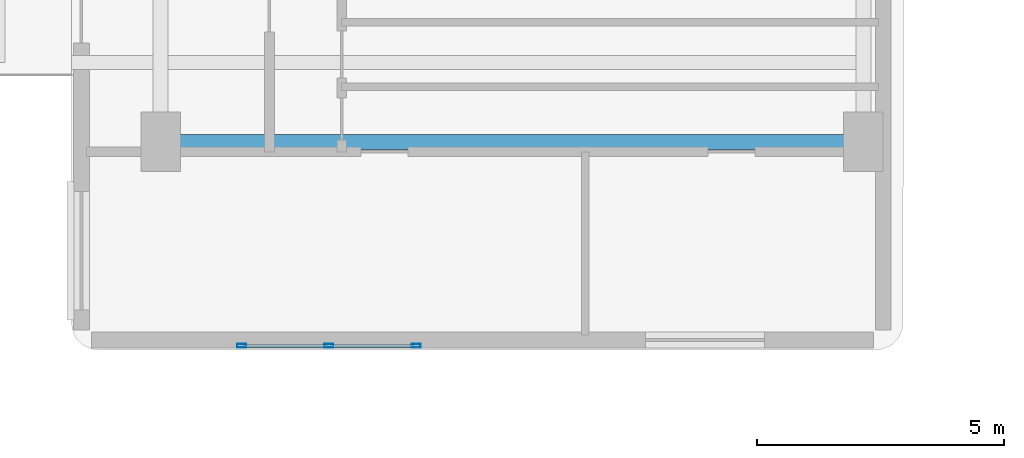
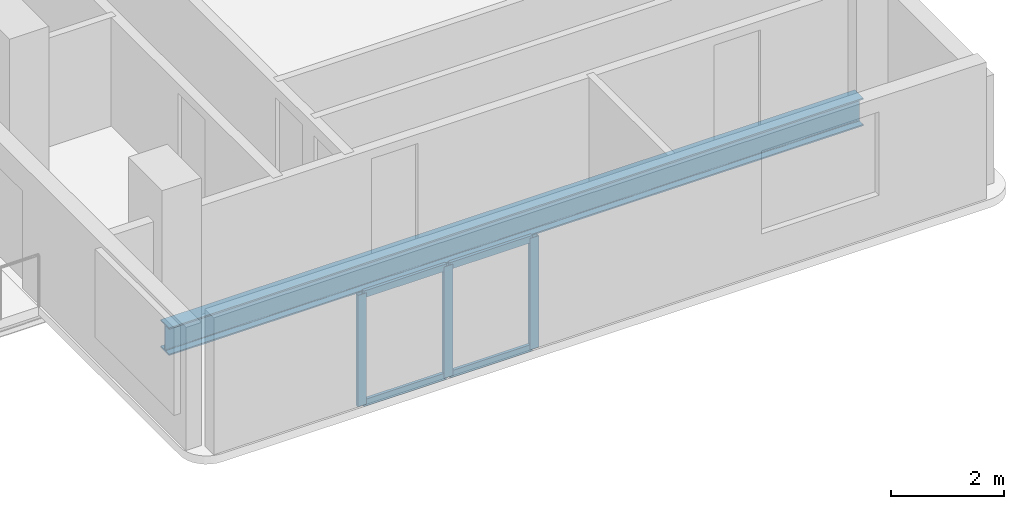
# One storey, part 2 of 15: 7 members, 1 beam, 1 element without a shape of its own.
"""IFC4 building model written with IfcOpenShell, lengths in metres."""

from ifc_helpers import new_model, si_unit, direction, frame, origin, origin_2d, place, context, subcontext, project, spatial, hollow_rectangle, i_section, extrude, material, material_profile, profile_set, type_object, element, aggregate, save


model = new_model("IFC4")

# Units and contexts
model_context = context("Model", 3, precision=1e-05, world=origin(), true_north=direction((0.0, 1.0)))
body_context = subcontext(model_context, "Body", "Model", "MODEL_VIEW")
ifc_project = project(units=[si_unit("LENGTHUNIT", "METRE"), si_unit("AREAUNIT", "SQUARE_METRE"), si_unit("VOLUMEUNIT", "CUBIC_METRE"), si_unit("PLANEANGLEUNIT", "RADIAN"), si_unit("MASSUNIT", "GRAM", prefix="KILO")], contexts=[model_context])

# Site, building, storey
site_placement = place(None, origin())
site = spatial("IfcSite", under=ifc_project, at=site_placement, CompositionType="ELEMENT")
building_placement = place(site_placement, origin())
building = spatial("IfcBuilding", under=site, at=building_placement, Name="Kuzgunbayir Cultural Tower", CompositionType="ELEMENT")
storey_placement = place(building_placement, frame((0.0, 0.0, 72.39990234375)))
storey = spatial("IfcBuildingStorey", under=building, at=storey_placement, Name="L20", CompositionType="ELEMENT", Elevation=72.39990234375)

# Beam
ifc_material_1 = material(Name="Steel S355J2", Category="steel")
ifc_material_profile_1 = material_profile(ifc_material_1, i_section(OverallWidth=0.300048828125, OverallDepth=0.60009765625, WebThickness=0.015380859375, FlangeThickness=0.030029296875, FilletRadius=0.027099609375, at=origin_2d()), Name="HEB 600")
ifc_profile_set_1 = profile_set([ifc_material_profile_1], Name="Steel S355J2")
beam_type = type_object("IfcBeamType", Name="BM-GIR-HEB600", PredefinedType="BEAM", material=ifc_profile_set_1)
beam_placement = place(storey_placement, frame((5.39990234375, 12.60009765625, -0.47998046875), z_axis=(1.0, 0.0, 0.0), x_axis=(0.0, 1.0, 0.0)))
element("IfcBeam", 1, at=beam_placement, inside=storey, type_object=beam_type, Name="L20 Wing A Transverse Girder 1", PredefinedType="BEAM", context=body_context, shape_type="SweptSolid", body=[
    extrude(i_section(OverallWidth=0.300048828125, OverallDepth=0.60009765625, WebThickness=0.015380859375, FlangeThickness=0.030029296875, FilletRadius=0.027099609375, at=origin_2d()), origin(), (0.0, 0.0, 1.0), 14.2001953125),
])

# Curtain wall, members
ifc_material_2 = material(Name="Anodised Aluminium Framing", Category="aluminium")
curtain_wall_type = type_object("IfcCurtainWallType", Name="CW03-T1-OFFICE", PredefinedType="NOTDEFINED", material=ifc_material_2)
curtain_wall_placement = place(storey_placement, origin())
curtain_wall = element("IfcCurtainWall", 2, at=curtain_wall_placement, inside=storey, type_object=curtain_wall_type, Name="L20 Wing A South Feature Curtain Wall", PredefinedType="NOTDEFINED")
ifc_material_profile_2 = material_profile(ifc_material_2, hollow_rectangle(XDim=0.074951171875, YDim=0.179931640625, WallThickness=0.0048828125, at=origin_2d()), Name="RHS 180x75x5")
ifc_profile_set_2 = profile_set([ifc_material_profile_2], Name="Anodised Aluminium Framing")
member_type_1 = type_object("IfcMemberType", Name="MEM-CW-MULLION-180", PredefinedType="MULLION", material=ifc_profile_set_2)
member_1_placement = place(storey_placement, frame((7.03759765625, 8.47998046875, 0.0), z_axis=(0.0, 0.0, 1.0), x_axis=(0.0, 1.0, 0.0)))
member_1 = element("IfcMember", 3, at=member_1_placement, type_object=member_type_1, Name="CW03 mullion 1", PredefinedType="MULLION", context=body_context, shape_type="SweptSolid", body=[
    extrude(hollow_rectangle(XDim=0.074951171875, YDim=0.179931640625, WallThickness=0.0048828125, at=origin_2d()), origin(), (0.0, 0.0, 1.0), 2.41015625),
])
member_2_placement = place(storey_placement, frame((8.800048828125, 8.47998046875, 0.0), z_axis=(0.0, 0.0, 1.0), x_axis=(0.0, 1.0, 0.0)))
member_2 = element("IfcMember", 4, at=member_2_placement, type_object=member_type_1, Name="CW03 mullion 2", PredefinedType="MULLION", context=body_context, shape_type="SweptSolid", body=[
    extrude(hollow_rectangle(XDim=0.074951171875, YDim=0.179931640625, WallThickness=0.0048828125, at=origin_2d()), origin(), (0.0, 0.0, 1.0), 2.41015625),
])
member_3_placement = place(storey_placement, frame((10.5625, 8.47998046875, 0.0), z_axis=(0.0, 0.0, 1.0), x_axis=(0.0, 1.0, 0.0)))
member_3 = element("IfcMember", 5, at=member_3_placement, type_object=member_type_1, Name="CW03 mullion 3", PredefinedType="MULLION", context=body_context, shape_type="SweptSolid", body=[
    extrude(hollow_rectangle(XDim=0.074951171875, YDim=0.179931640625, WallThickness=0.0048828125, at=origin_2d()), origin(), (0.0, 0.0, 1.0), 2.41015625),
])
ifc_material_profile_3 = material_profile(ifc_material_2, hollow_rectangle(XDim=0.06005859375, YDim=0.14990234375, WallThickness=0.00390625, at=origin_2d()), Name="RHS 150x60x4")
ifc_profile_set_3 = profile_set([ifc_material_profile_3], Name="Anodised Aluminium Framing")
member_type_2 = type_object("IfcMemberType", Name="MEM-CW-TRANSOM-150", PredefinedType="USERDEFINED", material=ifc_profile_set_3)
member_4_placement = place(storey_placement, frame((7.074951171875, 8.47998046875, 0.030029296875), z_axis=(1.0, 0.0, 0.0), x_axis=(0.0, 1.0, 0.0)))
member_4 = element("IfcMember", 6, at=member_4_placement, type_object=member_type_2, Name="CW03 transom 1.1", ObjectType="TRANSOM", PredefinedType="USERDEFINED", context=body_context, shape_type="SweptSolid", body=[
    extrude(hollow_rectangle(XDim=0.06005859375, YDim=0.14990234375, WallThickness=0.00390625, at=origin_2d()), origin(), (0.0, 0.0, 1.0), 1.6875),
])
member_5_placement = place(storey_placement, frame((7.074951171875, 8.47998046875, 2.380126953125), z_axis=(1.0, 0.0, 0.0), x_axis=(0.0, 1.0, 0.0)))
member_5 = element("IfcMember", 7, at=member_5_placement, type_object=member_type_2, Name="CW03 transom 1.2", ObjectType="TRANSOM", PredefinedType="USERDEFINED", context=body_context, shape_type="SweptSolid", body=[
    extrude(hollow_rectangle(XDim=0.06005859375, YDim=0.14990234375, WallThickness=0.00390625, at=origin_2d()), origin(), (0.0, 0.0, 1.0), 1.6875),
])
member_6_placement = place(storey_placement, frame((8.83740234375, 8.47998046875, 0.030029296875), z_axis=(1.0, 0.0, 0.0), x_axis=(0.0, 1.0, 0.0)))
member_6 = element("IfcMember", 8, at=member_6_placement, type_object=member_type_2, Name="CW03 transom 2.1", ObjectType="TRANSOM", PredefinedType="USERDEFINED", context=body_context, shape_type="SweptSolid", body=[
    extrude(hollow_rectangle(XDim=0.06005859375, YDim=0.14990234375, WallThickness=0.00390625, at=origin_2d()), origin(), (0.0, 0.0, 1.0), 1.6875),
])
member_7_placement = place(storey_placement, frame((8.83740234375, 8.47998046875, 2.380126953125), z_axis=(1.0, 0.0, 0.0), x_axis=(0.0, 1.0, 0.0)))
member_7 = element("IfcMember", 9, at=member_7_placement, type_object=member_type_2, Name="CW03 transom 2.2", ObjectType="TRANSOM", PredefinedType="USERDEFINED", context=body_context, shape_type="SweptSolid", body=[
    extrude(hollow_rectangle(XDim=0.06005859375, YDim=0.14990234375, WallThickness=0.00390625, at=origin_2d()), origin(), (0.0, 0.0, 1.0), 1.6875),
])
aggregate(curtain_wall, [member_1, member_2, member_3, member_4, member_5, member_6, member_7])

save(model, "model.ifc")
